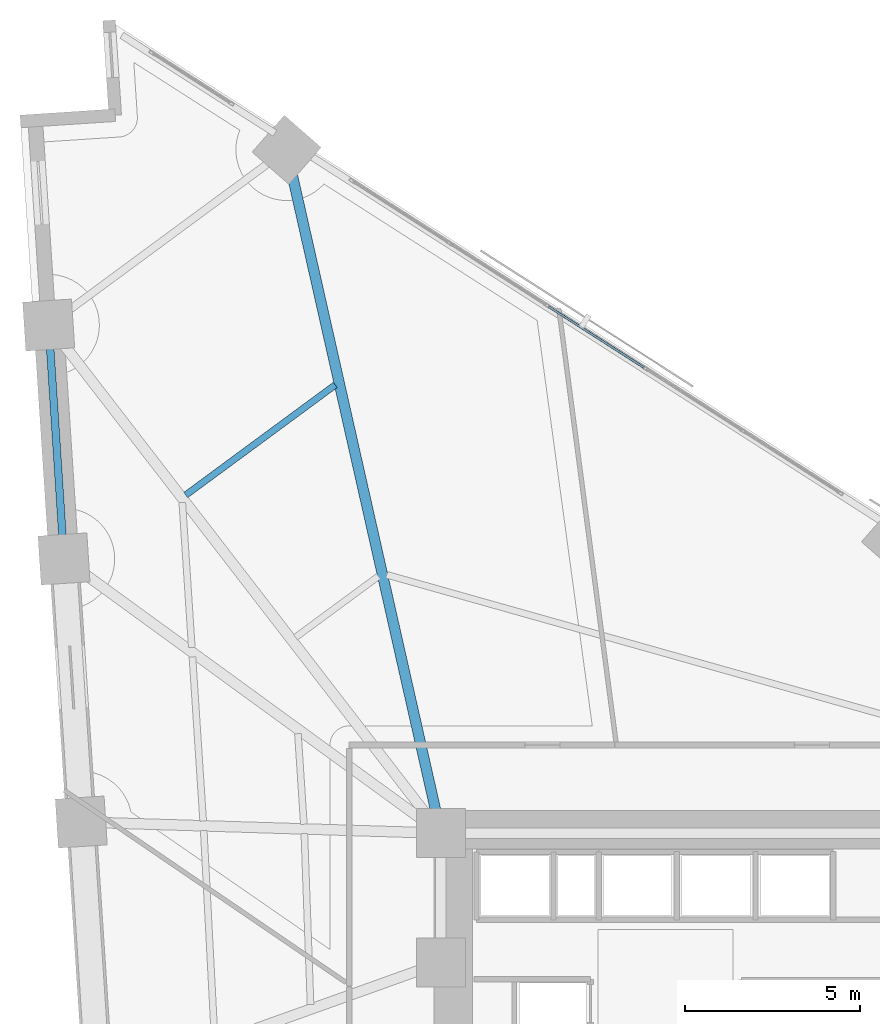
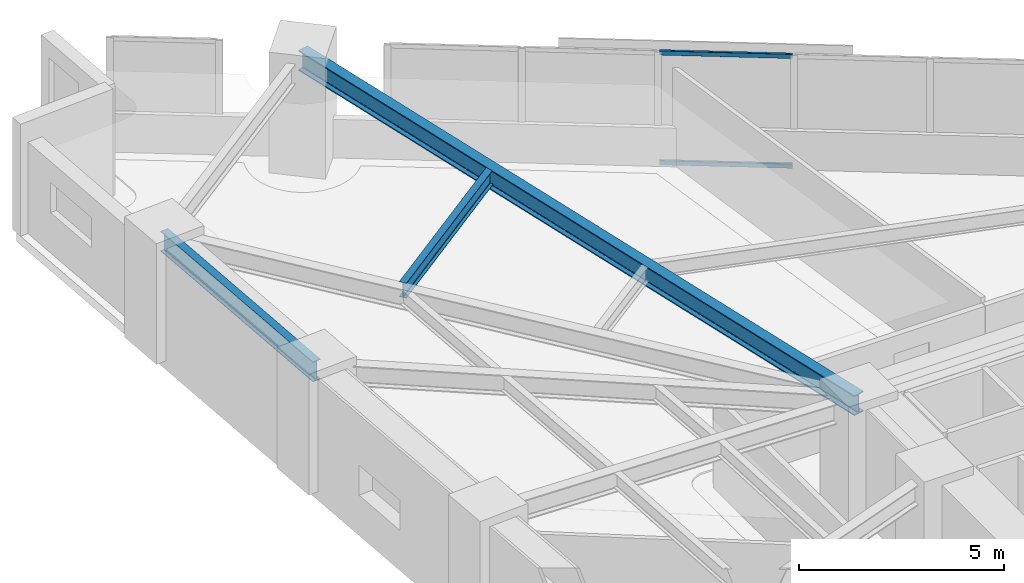
# One storey, part 8 of 16: 3 beams, 2 members, 1 element without a shape of its own.
"""IFC4 building model written with IfcOpenShell, lengths in metres."""

from ifc_helpers import new_model, si_unit, direction, frame, origin, origin_2d, place, context, subcontext, project, spatial, hollow_rectangle, i_section, extrude, material, material_profile, profile_set, type_object, element, aggregate, save


model = new_model("IFC4")

# Units and contexts
model_context = context("Model", 3, precision=1e-05, world=origin(), true_north=direction((0.0, 1.0)))
body_context = subcontext(model_context, "Body", "Model", "MODEL_VIEW")
ifc_project = project(units=[si_unit("LENGTHUNIT", "METRE"), si_unit("AREAUNIT", "SQUARE_METRE"), si_unit("VOLUMEUNIT", "CUBIC_METRE"), si_unit("PLANEANGLEUNIT", "RADIAN"), si_unit("MASSUNIT", "GRAM", prefix="KILO")], contexts=[model_context])

# Site, building, storey
site_placement = place(None, origin())
site = spatial("IfcSite", under=ifc_project, at=site_placement, CompositionType="ELEMENT")
building_placement = place(site_placement, origin())
building = spatial("IfcBuilding", under=site, at=building_placement, Name="Narakoshi Arena Tower", CompositionType="ELEMENT")
storey_placement = place(building_placement, frame((0.0, 0.0, 66.89990234375)))
storey = spatial("IfcBuildingStorey", under=building, at=storey_placement, Name="L17", CompositionType="ELEMENT", Elevation=66.89990234375)

# Beams
ifc_material_1 = material(Name="Structural steel S355J2", Category="steel")
ifc_material_profile_1 = material_profile(ifc_material_1, i_section(OverallWidth=0.219970703125, OverallDepth=0.60009765625, WebThickness=0.011962890625, FlangeThickness=0.01904296875, FilletRadius=0.02392578125, at=origin_2d()), Name="IPE600")
ifc_profile_set_1 = profile_set([ifc_material_profile_1], Name="Structural steel S355J2")
beam_type_1 = type_object("IfcBeamType", Name="BM-EDGE-600", PredefinedType="BEAM", material=ifc_profile_set_1)
beam_1_placement = place(storey_placement, frame((60.785400390625, 71.031005859375, 3.0400390625), z_axis=(0.065421350693, -0.997857728774, 0.0), x_axis=(0.997857728774, 0.065421350693, 0.0)))
element("IfcBeam", 1, at=beam_1_placement, inside=storey, type_object=beam_type_1, Name="L17 Perimeter Edge Girder 12", PredefinedType="BEAM", context=body_context, shape_type="SweptSolid", body=[
    extrude(i_section(OverallWidth=0.219970703125, OverallDepth=0.60009765625, WebThickness=0.011962890625, FlangeThickness=0.01904296875, FilletRadius=0.02392578125, at=origin_2d()), origin(), (0.0, 0.0, 1.0), 6.702392578125),
])
ifc_material_profile_2 = material_profile(ifc_material_1, i_section(OverallWidth=0.300048828125, OverallDepth=0.60009765625, WebThickness=0.015380859375, FlangeThickness=0.030029296875, FilletRadius=0.027099609375, at=origin_2d()), Name="HE600B")
ifc_profile_set_2 = profile_set([ifc_material_profile_2], Name="Structural steel S355J2")
beam_type_2 = type_object("IfcBeamType", Name="BM-PRI-600", PredefinedType="BEAM", material=ifc_profile_set_2)
beam_2_placement = place(storey_placement, frame((72.0, 56.5, 3.0400390625), z_axis=(-0.220123978285, 0.975471903329, 0.0), x_axis=(-0.975471903329, -0.220123978285, 0.0)))
element("IfcBeam", 2, at=beam_2_placement, inside=storey, type_object=beam_type_2, Name="L17 Radial Primary Floor Girder 11", PredefinedType="BEAM", context=body_context, shape_type="SweptSolid", body=[
    extrude(i_section(OverallWidth=0.300048828125, OverallDepth=0.60009765625, WebThickness=0.015380859375, FlangeThickness=0.030029296875, FilletRadius=0.027099609375, at=origin_2d()), origin(), (0.0, 0.0, 1.0), 20.034912109375),
])
ifc_material_profile_3 = material_profile(ifc_material_1, i_section(OverallWidth=0.18994140625, OverallDepth=0.449951171875, WebThickness=0.009521484375, FlangeThickness=0.0146484375, FilletRadius=0.02099609375, at=origin_2d()), Name="IPE450")
ifc_profile_set_3 = profile_set([ifc_material_profile_3], Name="Structural steel S355J2")
beam_type_3 = type_object("IfcBeamType", Name="BM-SEC-450", PredefinedType="JOIST", material=ifc_profile_set_3)
beam_3_placement = place(storey_placement, frame((68.980712890625, 69.318603515625, 3.114990234375), z_axis=(-0.805130974255, -0.593097053015, 0.0), x_axis=(0.593097053015, -0.805130974255, 0.0)))
element("IfcBeam", 3, at=beam_3_placement, inside=storey, type_object=beam_type_3, Name="L17 Composite Secondary Floor Joist 11", PredefinedType="JOIST", context=body_context, shape_type="SweptSolid", body=[
    extrude(i_section(OverallWidth=0.18994140625, OverallDepth=0.449951171875, WebThickness=0.009521484375, FlangeThickness=0.0146484375, FilletRadius=0.02099609375, at=origin_2d()), origin(), (0.0, 0.0, 1.0), 5.30810546875),
])

# Curtain wall, members
ifc_material_2 = material(Name="Anodised bronze aluminium 6063-T6", Category="aluminium")
curtain_wall_type = type_object("IfcCurtainWallType", Name="CW-HYP-LOW", PredefinedType="NOTDEFINED", material=ifc_material_2)
curtain_wall_placement = place(storey_placement, origin())
curtain_wall = element("IfcCurtainWall", 4, at=curtain_wall_placement, inside=storey, type_object=curtain_wall_type, Name="L17 Folded Hypotenuse Curtain Wall 2-2", PredefinedType="NOTDEFINED")
ifc_material_profile_4 = material_profile(ifc_material_2, hollow_rectangle(XDim=0.06494140625, YDim=0.1298828125, WallThickness=0.00390625, OuterFilletRadius=0.0048828125, at=origin_2d()), Name="TRN130x65x4")
ifc_profile_set_4 = profile_set([ifc_material_profile_4], Name="Anodised bronze aluminium 6063-T6")
member_type = type_object("IfcMemberType", Name="MEM-TRN-130", PredefinedType="USERDEFINED", material=ifc_profile_set_4)
member_1_placement = place(storey_placement, frame((77.81201171875, 69.813720703125, 0.03271484375), z_axis=(-0.842407668774, 0.5388407182, 0.0), x_axis=(-0.5388407182, -0.842407668774, 0.0)))
member_1 = element("IfcMember", 5, at=member_1_placement, type_object=member_type, Name="CW-01 transom 3.1", ObjectType="TRANSOM", PredefinedType="USERDEFINED", context=body_context, shape_type="SweptSolid", body=[
    extrude(hollow_rectangle(XDim=0.06494140625, YDim=0.1298828125, WallThickness=0.00390625, OuterFilletRadius=0.0048828125, at=origin_2d()), origin(), (0.0, 0.0, 1.0), 3.253173828125),
])
member_2_placement = place(storey_placement, frame((77.81201171875, 69.813720703125, 3.3076171875), z_axis=(-0.842407668774, 0.5388407182, 0.0), x_axis=(-0.5388407182, -0.842407668774, 0.0)))
member_2 = element("IfcMember", 6, at=member_2_placement, type_object=member_type, Name="CW-01 transom 3.2", ObjectType="TRANSOM", PredefinedType="USERDEFINED", context=body_context, shape_type="SweptSolid", body=[
    extrude(hollow_rectangle(XDim=0.06494140625, YDim=0.1298828125, WallThickness=0.00390625, OuterFilletRadius=0.0048828125, at=origin_2d()), origin(), (0.0, 0.0, 1.0), 3.253173828125),
])
aggregate(curtain_wall, [member_1, member_2])

save(model, "model.ifc")
